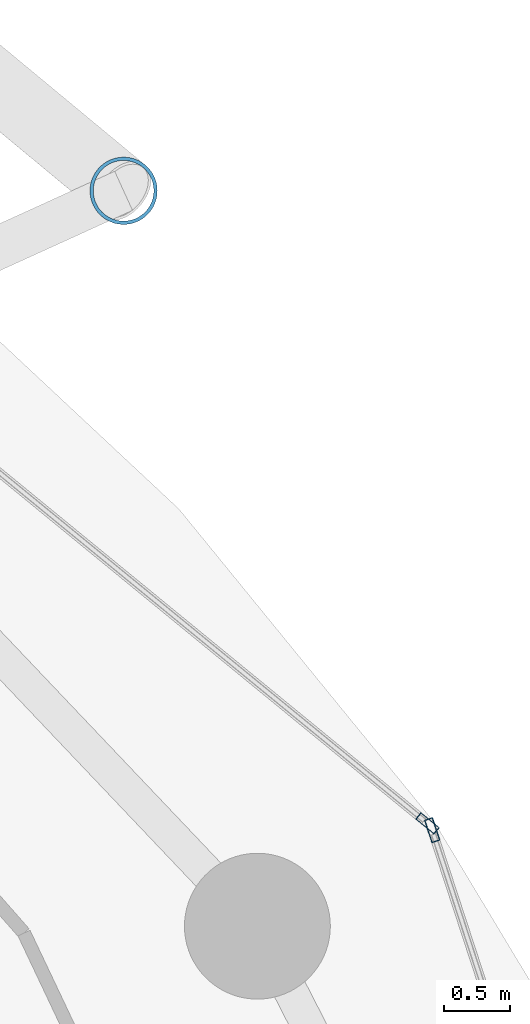
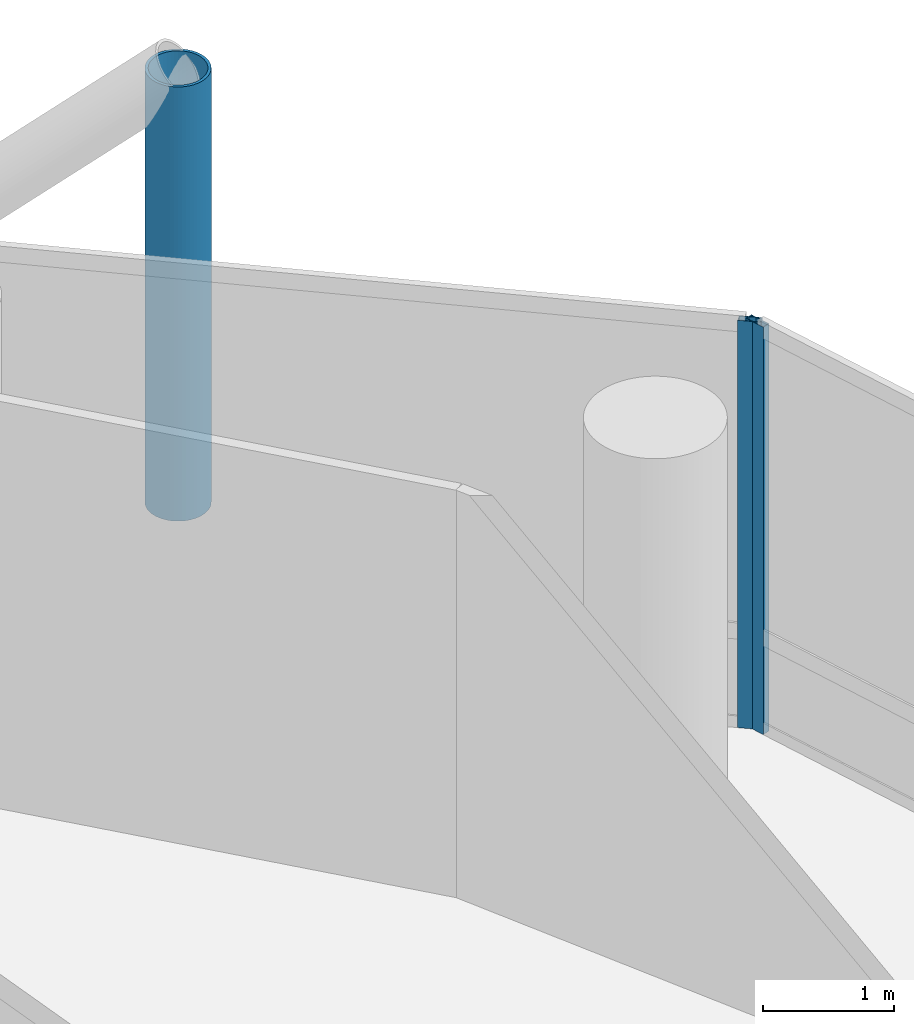
# One storey, part 19 of 26: 3 members, 2 elements without a shape of their own.
"""IFC4 building model written with IfcOpenShell, lengths in metres."""

from ifc_helpers import new_model, si_unit, direction, frame, origin, origin_2d, place, context, subcontext, project, spatial, hollow_rectangle, hollow_circle, extrude, material, layer, layer_set, material_profile, profile_set, type_object, element, aggregate, save


model = new_model("IFC4")

# Units and contexts
model_context = context("Model", 3, precision=1e-05, world=origin(), true_north=direction((0.0, 1.0)))
body_context = subcontext(model_context, "Body", "Model", "MODEL_VIEW")
ifc_project = project(units=[si_unit("LENGTHUNIT", "METRE"), si_unit("AREAUNIT", "SQUARE_METRE"), si_unit("VOLUMEUNIT", "CUBIC_METRE"), si_unit("PLANEANGLEUNIT", "RADIAN"), si_unit("MASSUNIT", "GRAM", prefix="KILO")], contexts=[model_context])

# Site, building, storey
site_placement = place(None, origin())
site = spatial("IfcSite", under=ifc_project, at=site_placement, CompositionType="ELEMENT")
building_placement = place(site_placement, origin())
building = spatial("IfcBuilding", under=site, at=building_placement, Name="Nuhasar Tower", CompositionType="ELEMENT")
storey_placement = place(building_placement, frame((0.0, 0.0, 93.89990234375)))
storey = spatial("IfcBuildingStorey", under=building, at=storey_placement, Name="L22", CompositionType="ELEMENT", Elevation=93.89990234375)

# Curtain wall, member
ifc_material_1 = material(Name="Aluminium 6063-T6", Category="aluminium")
ifc_layer = layer(ifc_material_1, 0.199951171875)
ifc_layer_set = layer_set([ifc_layer], Name="Aluminium 6063-T6")
curtain_wall_type = type_object("IfcCurtainWallType", Name="CW-Z1-OFF", PredefinedType="NOTDEFINED", material=ifc_layer_set)
curtain_wall_1_placement = place(storey_placement, origin())
curtain_wall_1 = element("IfcCurtainWall", 1, at=curtain_wall_1_placement, inside=storey, type_object=curtain_wall_type, Name="L22 Unitised Curtain Wall 01", PredefinedType="NOTDEFINED")
ifc_material_profile_1 = material_profile(ifc_material_1, hollow_rectangle(XDim=0.06494140625, YDim=0.179931640625, WallThickness=0.0048828125, at=origin_2d()), Name="CWM-2")
ifc_profile_set_1 = profile_set([ifc_material_profile_1], Name="Aluminium 6063-T6")
member_type_1 = type_object("IfcMemberType", Name="CW-MUL-S2", PredefinedType="MULLION", material=ifc_profile_set_1)
member_1_placement = place(storey_placement, frame((62.01220703125, 37.649169921875, 0.0), z_axis=(0.0, 0.0, 1.0), x_axis=(-0.950467534571, -0.310823849997, 0.0)))
member_1 = element("IfcMember", 2, at=member_1_placement, type_object=member_type_1, Name="CW-Z1 mullion 2", PredefinedType="MULLION", context=body_context, shape_type="SweptSolid", body=[
    extrude(hollow_rectangle(XDim=0.06494140625, YDim=0.179931640625, WallThickness=0.0048828125, at=origin_2d()), origin(), (0.0, 0.0, 1.0), 3.800048828125),
])
aggregate(curtain_wall_1, [member_1])

curtain_wall_2_placement = place(storey_placement, origin())
curtain_wall_2 = element("IfcCurtainWall", 3, at=curtain_wall_2_placement, inside=storey, type_object=curtain_wall_type, Name="L22 Unitised Curtain Wall 02", PredefinedType="NOTDEFINED")
member_2_placement = place(storey_placement, frame((61.976806640625, 37.70068359375, 0.0), z_axis=(0.0, 0.0, 1.0), x_axis=(-0.633744593376, -0.773542364946, 0.0)))
member_2 = element("IfcMember", 4, at=member_2_placement, type_object=member_type_1, Name="CW-Z1 mullion 1", PredefinedType="MULLION", context=body_context, shape_type="SweptSolid", body=[
    extrude(hollow_rectangle(XDim=0.06494140625, YDim=0.179931640625, WallThickness=0.0048828125, at=origin_2d()), origin(), (0.0, 0.0, 1.0), 3.800048828125),
])
aggregate(curtain_wall_2, [member_2])

# Member
ifc_material_2 = material(Name="Steel S460", Category="steel")
ifc_material_profile_2 = material_profile(ifc_material_2, hollow_circle(Radius=0.25390625, WallThickness=0.025390625, at=origin_2d()), Name="HSS508X25.4")
ifc_profile_set_2 = profile_set([ifc_material_profile_2], Name="Steel S460")
member_type_2 = type_object("IfcMemberType", Name="EXO-BRONZE-508", PredefinedType="BRACE", material=ifc_profile_set_2)
member_3_placement = place(storey_placement, frame((59.68505859375, 42.470947265625, 0.0), z_axis=(0.0, 0.0, 1.0), x_axis=(1.0, 0.0, 0.0)))
element("IfcMember", 5, at=member_3_placement, inside=storey, type_object=member_type_2, Name="L22 Exoskeleton Chord Column EC-02A", PredefinedType="BRACE", context=body_context, shape_type="SweptSolid", body=[
    extrude(hollow_circle(Radius=0.25390625, WallThickness=0.025390625, at=origin_2d()), origin(), (0.0, 0.0, 1.0), 4.050048828125),
])

save(model, "model.ifc")
